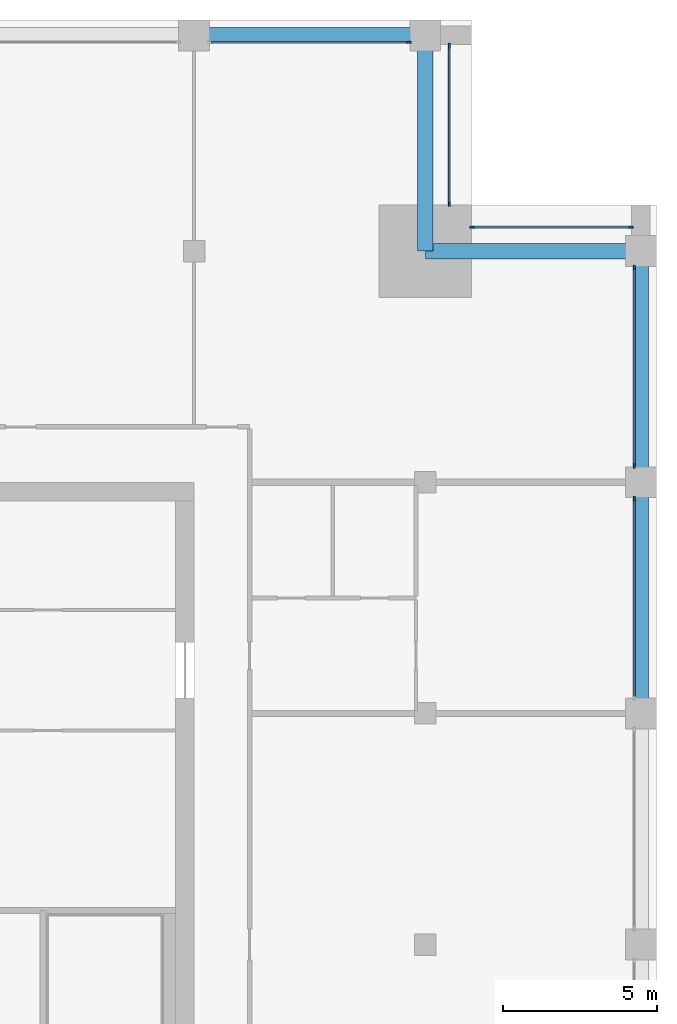
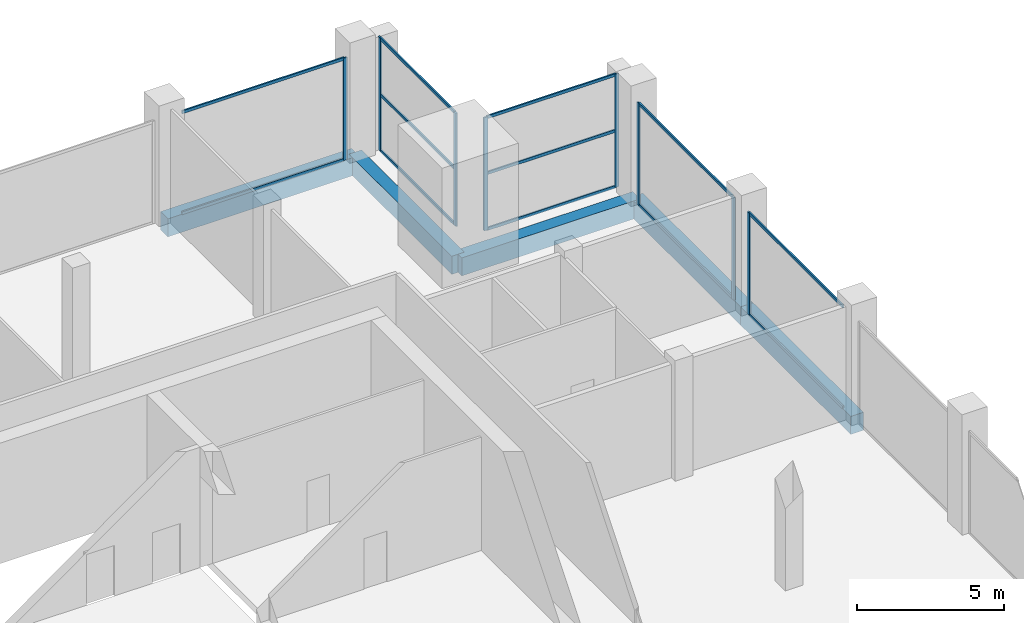
# One storey, part 6 of 15: 20 members, 5 beams, 5 elements without a shape of their own.
"""IFC4 building model written with IfcOpenShell, lengths in metres."""

from ifc_helpers import new_model, si_unit, direction, frame, origin, origin_2d, place, context, subcontext, project, spatial, rectangle, extrude, material, layer, layer_set, material_profile, profile_set, type_object, element, aggregate, save


model = new_model("IFC4")

# Units and contexts
model_context = context("Model", 3, precision=1e-05, world=origin(), true_north=direction((0.0, 1.0)))
body_context = subcontext(model_context, "Body", "Model", "MODEL_VIEW")
ifc_project = project(units=[si_unit("LENGTHUNIT", "METRE"), si_unit("AREAUNIT", "SQUARE_METRE"), si_unit("VOLUMEUNIT", "CUBIC_METRE"), si_unit("PLANEANGLEUNIT", "RADIAN"), si_unit("MASSUNIT", "GRAM", prefix="KILO")], contexts=[model_context])

# Site, building, storey
site_placement = place(None, origin())
site = spatial("IfcSite", under=ifc_project, at=site_placement, CompositionType="ELEMENT")
building_placement = place(site_placement, origin())
building = spatial("IfcBuilding", under=site, at=building_placement, Name="Tamorin Gate", CompositionType="ELEMENT")
storey_placement = place(building_placement, frame((0.0, 0.0, 287.199951171875)))
storey = spatial("IfcBuildingStorey", under=building, at=storey_placement, Name="L72", CompositionType="ELEMENT", Elevation=287.199951171875)

# Curtain wall, member
ifc_material_1 = material(Name="Aluminium mullions and transoms with clear glass", Category="aluminium")
ifc_layer = layer(ifc_material_1, 0.159912109375)
ifc_layer_set = layer_set([ifc_layer], Name="Curtain wall system CW2")
curtain_wall_type = type_object("IfcCurtainWallType", Name="Curtain wall system CW2", PredefinedType="NOTDEFINED", material=ifc_layer_set)
curtain_wall_1_placement = place(storey_placement, origin())
curtain_wall_1 = element("IfcCurtainWall", 1, at=curtain_wall_1_placement, inside=storey, type_object=curtain_wall_type, Name="Curtain wall", PredefinedType="NOTDEFINED")
ifc_material_2 = material(Name="Aluminium", Category="aluminium")
ifc_material_profile_1 = material_profile(ifc_material_2, rectangle(XDim=0.06005859375, YDim=0.159912109375, at=origin_2d()), Name="RECT 60x160")
ifc_profile_set_1 = profile_set([ifc_material_profile_1], Name="Aluminium")
member_type_1 = type_object("IfcMemberType", Name="Aluminium mullion 60x160", PredefinedType="MULLION", material=ifc_profile_set_1)
member_1_placement = place(storey_placement, frame((74.280029296875, 81.969970703125, 0.0), z_axis=(0.0, 0.0, 1.0), x_axis=(-1.0, 0.0, 0.0)))
member_1 = element("IfcMember", 2, at=member_1_placement, type_object=member_type_1, Name="CW2 mullion 2", PredefinedType="MULLION", context=body_context, shape_type="SweptSolid", body=[
    extrude(rectangle(XDim=0.06005859375, YDim=0.159912109375, at=origin_2d()), origin(), (0.0, 0.0, 1.0), 4.25),
])

# Curtain wall, members
curtain_wall_2_placement = place(storey_placement, origin())
curtain_wall_2 = element("IfcCurtainWall", 3, at=curtain_wall_2_placement, inside=storey, type_object=curtain_wall_type, Name="Curtain wall", PredefinedType="NOTDEFINED")
member_2_placement = place(storey_placement, frame((74.280029296875, 83.030029296875, 0.0), z_axis=(0.0, 0.0, 1.0), x_axis=(-1.0, 0.0, 0.0)))
member_2 = element("IfcMember", 4, at=member_2_placement, type_object=member_type_1, Name="CW2 mullion 1", PredefinedType="MULLION", context=body_context, shape_type="SweptSolid", body=[
    extrude(rectangle(XDim=0.06005859375, YDim=0.159912109375, at=origin_2d()), origin(), (0.0, 0.0, 1.0), 4.25),
])
member_3_placement = place(storey_placement, frame((74.280029296875, 89.469970703125, 0.0), z_axis=(0.0, 0.0, 1.0), x_axis=(-1.0, 0.0, 0.0)))
member_3 = element("IfcMember", 5, at=member_3_placement, type_object=member_type_1, Name="CW2 mullion 2", PredefinedType="MULLION", context=body_context, shape_type="SweptSolid", body=[
    extrude(rectangle(XDim=0.06005859375, YDim=0.159912109375, at=origin_2d()), origin(), (0.0, 0.0, 1.0), 4.25),
])

curtain_wall_3_placement = place(storey_placement, origin())
curtain_wall_3 = element("IfcCurtainWall", 6, at=curtain_wall_3_placement, inside=storey, type_object=curtain_wall_type, Name="Curtain wall", PredefinedType="NOTDEFINED")
member_4_placement = place(storey_placement, frame((74.169921875, 90.780029296875, 0.0), z_axis=(0.0, 0.0, 1.0), x_axis=(0.0, -1.0, 0.0)))
member_4 = element("IfcMember", 7, at=member_4_placement, type_object=member_type_1, Name="CW2 mullion 1", PredefinedType="MULLION", context=body_context, shape_type="SweptSolid", body=[
    extrude(rectangle(XDim=0.06005859375, YDim=0.159912109375, at=origin_2d()), origin(), (0.0, 0.0, 1.0), 4.699951171875),
])
member_5_placement = place(storey_placement, frame((69.030029296875, 90.780029296875, 0.0), z_axis=(0.0, 0.0, 1.0), x_axis=(0.0, -1.0, 0.0)))
member_5 = element("IfcMember", 8, at=member_5_placement, type_object=member_type_1, Name="CW2 mullion 2", PredefinedType="MULLION", context=body_context, shape_type="SweptSolid", body=[
    extrude(rectangle(XDim=0.06005859375, YDim=0.159912109375, at=origin_2d()), origin(), (0.0, 0.0, 1.0), 4.699951171875),
])

curtain_wall_4_placement = place(storey_placement, origin())
curtain_wall_4 = element("IfcCurtainWall", 9, at=curtain_wall_4_placement, inside=storey, type_object=curtain_wall_type, Name="Curtain wall", PredefinedType="NOTDEFINED")
member_6_placement = place(storey_placement, frame((68.280029296875, 91.530029296875, 0.0), z_axis=(0.0, 0.0, 1.0), x_axis=(-1.0, 0.0, 0.0)))
member_6 = element("IfcMember", 10, at=member_6_placement, type_object=member_type_1, Name="CW2 mullion 1", PredefinedType="MULLION", context=body_context, shape_type="SweptSolid", body=[
    extrude(rectangle(XDim=0.06005859375, YDim=0.159912109375, at=origin_2d()), origin(), (0.0, 0.0, 1.0), 4.699951171875),
])
member_7_placement = place(storey_placement, frame((68.280029296875, 96.669921875, 0.0), z_axis=(0.0, 0.0, 1.0), x_axis=(-1.0, 0.0, 0.0)))
member_7 = element("IfcMember", 11, at=member_7_placement, type_object=member_type_1, Name="CW2 mullion 2", PredefinedType="MULLION", context=body_context, shape_type="SweptSolid", body=[
    extrude(rectangle(XDim=0.06005859375, YDim=0.159912109375, at=origin_2d()), origin(), (0.0, 0.0, 1.0), 4.699951171875),
])

# Curtain wall, member
curtain_wall_5_placement = place(storey_placement, origin())
curtain_wall_5 = element("IfcCurtainWall", 12, at=curtain_wall_5_placement, inside=storey, type_object=curtain_wall_type, Name="Curtain wall", PredefinedType="NOTDEFINED")
member_8_placement = place(storey_placement, frame((66.969970703125, 96.780029296875, 0.0), z_axis=(0.0, 0.0, 1.0), x_axis=(0.0, -1.0, 0.0)))
member_8 = element("IfcMember", 13, at=member_8_placement, type_object=member_type_1, Name="CW2 mullion 1", PredefinedType="MULLION", context=body_context, shape_type="SweptSolid", body=[
    extrude(rectangle(XDim=0.06005859375, YDim=0.159912109375, at=origin_2d()), origin(), (0.0, 0.0, 1.0), 4.25),
])

# Member
ifc_material_profile_2 = material_profile(ifc_material_2, rectangle(XDim=0.06005859375, YDim=0.1201171875, at=origin_2d()), Name="RECT 60x120")
ifc_profile_set_2 = profile_set([ifc_material_profile_2], Name="Aluminium")
member_type_2 = type_object("IfcMemberType", Name="Aluminium transom 60x120", PredefinedType="USERDEFINED", material=ifc_profile_set_2)
member_9_placement = place(storey_placement, frame((74.280029296875, 75.56005859375, 0.030029296875), z_axis=(0.0, 1.0, 0.0), x_axis=(-1.0, 0.0, 0.0)))
member_9 = element("IfcMember", 14, at=member_9_placement, type_object=member_type_2, Name="CW2 transom 1.1", ObjectType="TRANSOM", PredefinedType="USERDEFINED", context=body_context, shape_type="SweptSolid", body=[
    extrude(rectangle(XDim=0.06005859375, YDim=0.1201171875, at=origin_2d()), origin(), (0.0, 0.0, 1.0), 6.3798828125),
])

member_10_placement = place(storey_placement, frame((74.280029296875, 75.56005859375, 4.219970703125), z_axis=(0.0, 1.0, 0.0), x_axis=(-1.0, 0.0, 0.0)))
member_10 = element("IfcMember", 15, at=member_10_placement, type_object=member_type_2, Name="CW2 transom 1.2", ObjectType="TRANSOM", PredefinedType="USERDEFINED", context=body_context, shape_type="SweptSolid", body=[
    extrude(rectangle(XDim=0.06005859375, YDim=0.1201171875, at=origin_2d()), origin(), (0.0, 0.0, 1.0), 6.3798828125),
])

aggregate(curtain_wall_1, [member_1, member_9, member_10])

member_11_placement = place(storey_placement, frame((74.280029296875, 83.06005859375, 0.030029296875), z_axis=(0.0, 1.0, 0.0), x_axis=(-1.0, 0.0, 0.0)))
member_11 = element("IfcMember", 16, at=member_11_placement, type_object=member_type_2, Name="CW2 transom 1.1", ObjectType="TRANSOM", PredefinedType="USERDEFINED", context=body_context, shape_type="SweptSolid", body=[
    extrude(rectangle(XDim=0.06005859375, YDim=0.1201171875, at=origin_2d()), origin(), (0.0, 0.0, 1.0), 6.3798828125),
])

member_12_placement = place(storey_placement, frame((74.280029296875, 83.06005859375, 4.219970703125), z_axis=(0.0, 1.0, 0.0), x_axis=(-1.0, 0.0, 0.0)))
member_12 = element("IfcMember", 17, at=member_12_placement, type_object=member_type_2, Name="CW2 transom 1.2", ObjectType="TRANSOM", PredefinedType="USERDEFINED", context=body_context, shape_type="SweptSolid", body=[
    extrude(rectangle(XDim=0.06005859375, YDim=0.1201171875, at=origin_2d()), origin(), (0.0, 0.0, 1.0), 6.3798828125),
])

aggregate(curtain_wall_2, [member_2, member_3, member_11, member_12])

member_13_placement = place(storey_placement, frame((74.139892578125, 90.780029296875, 0.030029296875), z_axis=(-1.0, 0.0, 0.0), x_axis=(0.0, -1.0, 0.0)))
member_13 = element("IfcMember", 18, at=member_13_placement, type_object=member_type_2, Name="CW2 transom 1.1", ObjectType="TRANSOM", PredefinedType="USERDEFINED", context=body_context, shape_type="SweptSolid", body=[
    extrude(rectangle(XDim=0.06005859375, YDim=0.1201171875, at=origin_2d()), origin(), (0.0, 0.0, 1.0), 5.079833984375),
])

member_14_placement = place(storey_placement, frame((74.139892578125, 90.780029296875, 2.35009765625), z_axis=(-1.0, 0.0, 0.0), x_axis=(0.0, -1.0, 0.0)))
member_14 = element("IfcMember", 19, at=member_14_placement, type_object=member_type_2, Name="CW2 transom 1.2", ObjectType="TRANSOM", PredefinedType="USERDEFINED", context=body_context, shape_type="SweptSolid", body=[
    extrude(rectangle(XDim=0.06005859375, YDim=0.1201171875, at=origin_2d()), origin(), (0.0, 0.0, 1.0), 5.079833984375),
])

member_15_placement = place(storey_placement, frame((74.139892578125, 90.780029296875, 4.670166015625), z_axis=(-1.0, 0.0, 0.0), x_axis=(0.0, -1.0, 0.0)))
member_15 = element("IfcMember", 20, at=member_15_placement, type_object=member_type_2, Name="CW2 transom 1.3", ObjectType="TRANSOM", PredefinedType="USERDEFINED", context=body_context, shape_type="SweptSolid", body=[
    extrude(rectangle(XDim=0.06005859375, YDim=0.1201171875, at=origin_2d()), origin(), (0.0, 0.0, 1.0), 5.079833984375),
])

aggregate(curtain_wall_3, [member_4, member_5, member_13, member_14, member_15])

member_16_placement = place(storey_placement, frame((68.280029296875, 91.56005859375, 0.030029296875), z_axis=(0.0, 1.0, 0.0), x_axis=(-1.0, 0.0, 0.0)))
member_16 = element("IfcMember", 21, at=member_16_placement, type_object=member_type_2, Name="CW2 transom 1.1", ObjectType="TRANSOM", PredefinedType="USERDEFINED", context=body_context, shape_type="SweptSolid", body=[
    extrude(rectangle(XDim=0.06005859375, YDim=0.1201171875, at=origin_2d()), origin(), (0.0, 0.0, 1.0), 5.079833984375),
])

member_17_placement = place(storey_placement, frame((68.280029296875, 91.56005859375, 2.35009765625), z_axis=(0.0, 1.0, 0.0), x_axis=(-1.0, 0.0, 0.0)))
member_17 = element("IfcMember", 22, at=member_17_placement, type_object=member_type_2, Name="CW2 transom 1.2", ObjectType="TRANSOM", PredefinedType="USERDEFINED", context=body_context, shape_type="SweptSolid", body=[
    extrude(rectangle(XDim=0.06005859375, YDim=0.1201171875, at=origin_2d()), origin(), (0.0, 0.0, 1.0), 5.079833984375),
])

member_18_placement = place(storey_placement, frame((68.280029296875, 91.56005859375, 4.670166015625), z_axis=(0.0, 1.0, 0.0), x_axis=(-1.0, 0.0, 0.0)))
member_18 = element("IfcMember", 23, at=member_18_placement, type_object=member_type_2, Name="CW2 transom 1.3", ObjectType="TRANSOM", PredefinedType="USERDEFINED", context=body_context, shape_type="SweptSolid", body=[
    extrude(rectangle(XDim=0.06005859375, YDim=0.1201171875, at=origin_2d()), origin(), (0.0, 0.0, 1.0), 5.079833984375),
])

aggregate(curtain_wall_4, [member_6, member_7, member_16, member_17, member_18])

member_19_placement = place(storey_placement, frame((66.93994140625, 96.780029296875, 0.030029296875), z_axis=(-1.0, 0.0, 0.0), x_axis=(0.0, -1.0, 0.0)))
member_19 = element("IfcMember", 24, at=member_19_placement, type_object=member_type_2, Name="CW2 transom 1.1", ObjectType="TRANSOM", PredefinedType="USERDEFINED", context=body_context, shape_type="SweptSolid", body=[
    extrude(rectangle(XDim=0.06005859375, YDim=0.1201171875, at=origin_2d()), origin(), (0.0, 0.0, 1.0), 6.3798828125),
])

member_20_placement = place(storey_placement, frame((66.93994140625, 96.780029296875, 4.219970703125), z_axis=(-1.0, 0.0, 0.0), x_axis=(0.0, -1.0, 0.0)))
member_20 = element("IfcMember", 25, at=member_20_placement, type_object=member_type_2, Name="CW2 transom 1.2", ObjectType="TRANSOM", PredefinedType="USERDEFINED", context=body_context, shape_type="SweptSolid", body=[
    extrude(rectangle(XDim=0.06005859375, YDim=0.1201171875, at=origin_2d()), origin(), (0.0, 0.0, 1.0), 6.3798828125),
])

aggregate(curtain_wall_5, [member_8, member_19, member_20])

# Beams
ifc_material_3 = material(Name="Concrete C50/60", Category="concrete")
ifc_material_profile_3 = material_profile(ifc_material_3, rectangle(XDim=0.5, YDim=0.75, at=origin_2d()), Name="RC 500x750")
ifc_profile_set_3 = profile_set([ifc_material_profile_3], Name="Concrete C50/60")
beam_type = type_object("IfcBeamType", Name="RC spandrel 500x750 C50/60", PredefinedType="BEAM", material=ifc_profile_set_3)
for number, where, z_axis, x_axis, name in (
    (26, (74.5, 75.0, -0.375), (0.0, 1.0, 0.0), (-1.0, 0.0, 0.0), "Spandrel beam L72"),
    (27, (74.5, 82.5, -0.375), (0.0, 1.0, 0.0), (-1.0, 0.0, 0.0), "Spandrel beam L72"),
    (28, (67.5, 97.0, -0.375), (-1.0, 0.0, 0.0), (0.0, -1.0, 0.0), "Spandrel beam L72"),
):
    element("IfcBeam", number, at=place(storey_placement, frame(where, z_axis=z_axis, x_axis=x_axis)), inside=storey, type_object=beam_type, Name=name, PredefinedType="BEAM", context=body_context, shape_type="SweptSolid", body=[
        extrude(rectangle(XDim=0.5, YDim=0.75, at=origin_2d()), origin(), (0.0, 0.0, 1.0), 7.5),
    ])
for number, where, z_axis, x_axis, name in (
    (29, (67.5, 90.0, -0.375), (0.0, 1.0, 0.0), (-1.0, 0.0, 0.0), "Corner tie beam L72"),
    (30, (67.5, 90.0, -0.375), (1.0, 0.0, 0.0), (0.0, 1.0, 0.0), "Corner tie beam L72"),
):
    element("IfcBeam", number, at=place(storey_placement, frame(where, z_axis=z_axis, x_axis=x_axis)), inside=storey, type_object=beam_type, Name=name, PredefinedType="BEAM", context=body_context, shape_type="SweptSolid", body=[
        extrude(rectangle(XDim=0.5, YDim=0.75, at=origin_2d()), origin(), (0.0, 0.0, 1.0), 7.0),
    ])

save(model, "model.ifc")
